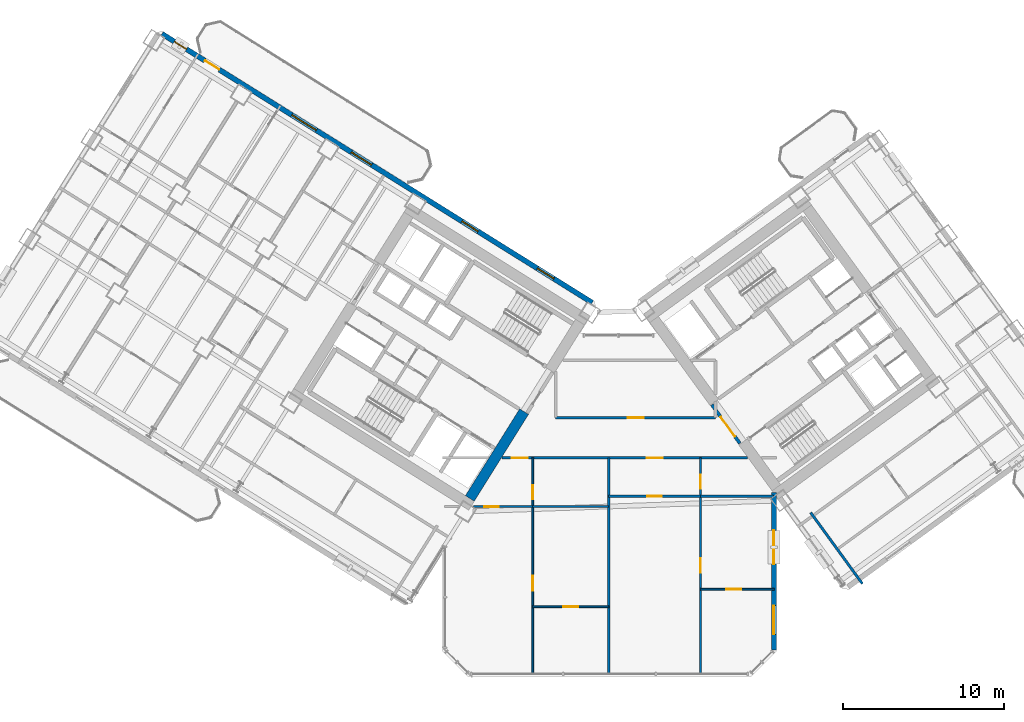
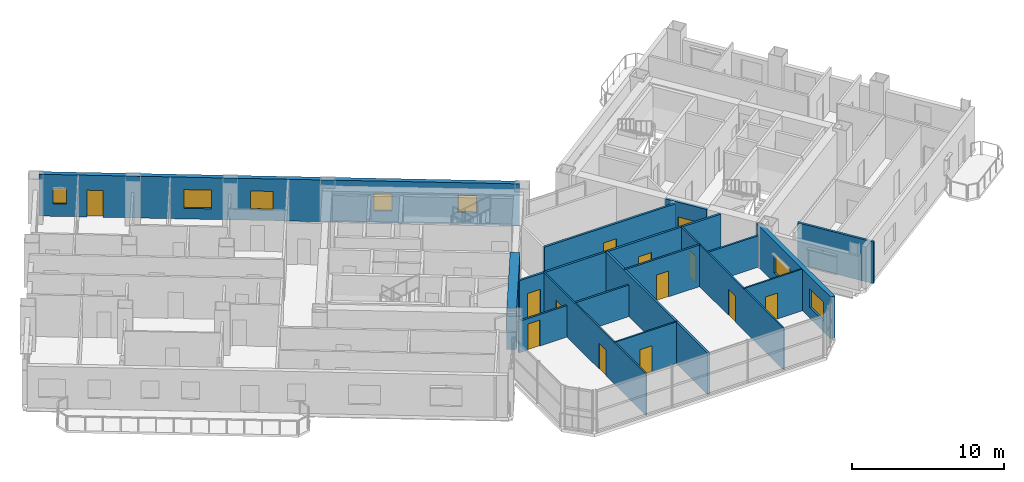
# One storey, part 17 of 25: 16 walls, 13 doors, 7 windows, 20 openings.
"""IFC4 building model written with IfcOpenShell, lengths in metres."""

from ifc_helpers import new_model, si_unit, direction, frame, frame_2d, origin, place, context, subcontext, project, spatial, rectangle, extrude, source, transform, mapped, material, layer, layer_set, type_object, element, fill, save


model = new_model("IFC4")

# Units and contexts
model_context = context("Model", 3, precision=1e-05, world=origin(), true_north=direction((0.0, 1.0)))
body_context = subcontext(model_context, "Body", "Model", "MODEL_VIEW")
ifc_project = project(units=[si_unit("LENGTHUNIT", "METRE"), si_unit("AREAUNIT", "SQUARE_METRE"), si_unit("VOLUMEUNIT", "CUBIC_METRE"), si_unit("PLANEANGLEUNIT", "RADIAN"), si_unit("MASSUNIT", "GRAM", prefix="KILO")], contexts=[model_context])

# Site, building, storey
site_placement = place(None, origin())
site = spatial("IfcSite", under=ifc_project, at=site_placement, CompositionType="ELEMENT")
building_placement = place(site_placement, origin())
building = spatial("IfcBuilding", under=site, at=building_placement, Name="Tlacorven Tower", CompositionType="ELEMENT")
storey_placement = place(building_placement, frame((0.0, 0.0, 52.800048828125)))
storey = spatial("IfcBuildingStorey", under=building, at=storey_placement, Name="L13", CompositionType="ELEMENT", Elevation=52.800048828125)

# Wall
ifc_material_1 = material(Name="Concrete C60/75", Category="concrete")
ifc_layer_1 = layer(ifc_material_1, 0.64990234375)
ifc_layer_set_1 = layer_set([ifc_layer_1], Name="Concrete C60/75")
wall_type_1 = type_object("IfcWallType", Name="WL-COR-650", PredefinedType="SHEAR", material=ifc_layer_set_1)
wall_1_placement = place(storey_placement, frame((36.683349609375, 18.30419921875, 0.0), z_axis=(0.0, 0.0, 1.0), x_axis=(-0.529899109053, -0.848060690178, 0.0)))
element("IfcWall", 1, at=wall_1_placement, inside=storey, type_object=wall_type_1, Name="L13 W core end wall E1.2", PredefinedType="SHEAR", context=body_context, shape_type="SweptSolid", body=[
    extrude(rectangle(XDim=6.375244140625, YDim=0.64990234375, at=frame_2d((3.1875, 0.0))), origin(), (0.0, 0.0, 1.0), 3.349853515625),
])

# Wall, openings, doors
ifc_material_2 = material(Name="Gypsum plasterboard acoustic partition", Category="gypsum")
ifc_layer_2 = layer(ifc_material_2, 0.159912109375)
ifc_layer_set_2 = layer_set([ifc_layer_2], Name="Gypsum plasterboard acoustic partition")
wall_type_2 = type_object("IfcWallType", Name="WL-DEM-160", PredefinedType="PARTITIONING", material=ifc_layer_set_2)
wall_2_placement = place(storey_placement, frame((35.29638671875, 15.419921875, 0.0), z_axis=(0.0, 0.0, 1.0), x_axis=(1.0, 0.0, 0.0)))
wall_2 = element("IfcWall", 2, at=wall_2_placement, inside=storey, type_object=wall_type_2, Name="L13 Knuckle Corridor South Wall", PredefinedType="PARTITIONING", context=body_context, shape_type="SweptSolid", body=[
    extrude(rectangle(XDim=15.310546875, YDim=0.159912109375, at=frame_2d((7.6552734375, 0.0))), origin(), (0.0, 0.0, 1.0), 3.33984375),
])
opening_1_placement = place(wall_2_placement, frame((0.61474609375, 0.0, 0.0)))
opening_1 = element("IfcOpeningElement", 3, at=opening_1_placement, cuts=wall_2, Name="Opening D11", PredefinedType="OPENING", context=body_context, shape_type="SweptSolid", body=[
    extrude(rectangle(XDim=1.0, YDim=2.10009765625, at=frame_2d((0.5, 1.050048828125))), frame((0.0, 0.08984375, 0.0), z_axis=(0.0, -1.0, 0.0), x_axis=(1.0, 0.0, 0.0)), (0.0, 0.0, 1.0), 0.179931640625),
])
opening_2_placement = place(wall_2_placement, frame((9.03515625, 0.0, 0.0)))
opening_2 = element("IfcOpeningElement", 4, at=opening_2_placement, cuts=wall_2, Name="Opening D11", PredefinedType="OPENING", context=body_context, shape_type="SweptSolid", body=[
    extrude(rectangle(XDim=1.0, YDim=2.10009765625, at=frame_2d((0.5, 1.050048828125))), frame((0.0, 0.08984375, 0.0), z_axis=(0.0, -1.0, 0.0), x_axis=(1.0, 0.0, 0.0)), (0.0, 0.0, 1.0), 0.179931640625),
])
ifc_material_3 = material(Name="Fire-rated steel door assembly", Category="steel")
door_type_1 = type_object("IfcDoorType", Name="DR-FLT-FD60-1000", OperationType="NOTDEFINED", PredefinedType="DOOR", material=ifc_material_3)
shared_shape_1 = source(origin(), body_context, "Body", "SweptSolid", [
    extrude(rectangle(XDim=1.0, YDim=2.10009765625, at=frame_2d((0.5, 1.050048828125))), frame((0.0, 0.02490234375, 0.0), z_axis=(0.0, -1.0, 0.0), x_axis=(1.0, 0.0, 0.0)), (0.0, 0.0, 1.0), 0.050048828125),
])
door_1_placement = place(opening_1_placement, frame((1.0, 0.0, 0.0), z_axis=(0.0, 0.0, 1.0), x_axis=(-1.0, 0.0, 0.0)))
door_1 = element("IfcDoor", 5, at=door_1_placement, inside=storey, type_object=door_type_1, Name="L13 door 052", OperationType="SINGLE_SWING_LEFT", OverallHeight=2.10009765625, OverallWidth=1.0, PredefinedType="DOOR", context=body_context, shape_type="MappedRepresentation", body=[
    mapped(shared_shape_1, transform((0.0, 0.0, 0.0), scale=1.0)),
])
fill(opening_1, door_1)
door_2_placement = place(opening_2_placement, frame((1.0, 0.0, 0.0), z_axis=(0.0, 0.0, 1.0), x_axis=(-1.0, 0.0, 0.0)))
door_2 = element("IfcDoor", 6, at=door_2_placement, inside=storey, type_object=door_type_1, Name="L13 door 057", OperationType="SINGLE_SWING_RIGHT", OverallHeight=2.10009765625, OverallWidth=1.0, PredefinedType="DOOR", context=body_context, shape_type="MappedRepresentation", body=[
    mapped(shared_shape_1, transform((0.0, 0.0, 0.0), scale=1.0)),
])
fill(opening_2, door_2)

# Wall, opening, door
wall_3_placement = place(storey_placement, frame((38.64990234375, 17.929931640625, 0.0), z_axis=(0.0, 0.0, 1.0), x_axis=(1.0, 0.0, 0.0)))
wall_3 = element("IfcWall", 7, at=wall_3_placement, inside=storey, type_object=wall_type_2, Name="L13 partition 81", PredefinedType="PARTITIONING", context=body_context, shape_type="SweptSolid", body=[
    extrude(rectangle(XDim=9.9501953125, YDim=0.159912109375, at=frame_2d((4.97509765625, 0.0))), origin(), (0.0, 0.0, 1.0), 3.33984375),
])
opening_3_placement = place(wall_3_placement, frame((4.47509765625, 0.0, 0.0)))
opening_3 = element("IfcOpeningElement", 8, at=opening_3_placement, cuts=wall_3, Name="Opening D11", PredefinedType="OPENING", context=body_context, shape_type="SweptSolid", body=[
    extrude(rectangle(XDim=1.0, YDim=2.10009765625, at=frame_2d((0.5, 1.050048828125))), frame((0.0, 0.08984375, 0.0), z_axis=(0.0, -1.0, 0.0), x_axis=(1.0, 0.0, 0.0)), (0.0, 0.0, 1.0), 0.179931640625),
])
door_3_placement = place(opening_3_placement, origin())
door_3 = element("IfcDoor", 9, at=door_3_placement, inside=storey, type_object=door_type_1, Name="L13 door 047", OperationType="SINGLE_SWING_RIGHT", OverallHeight=2.10009765625, OverallWidth=1.0, PredefinedType="DOOR", context=body_context, shape_type="MappedRepresentation", body=[
    mapped(shared_shape_1, transform((0.0, 0.0, 0.0), scale=1.0)),
])
fill(opening_3, door_3)

# Walls
wall_4_placement = place(storey_placement, frame((41.949951171875, 1.9599609375, 0.0), z_axis=(0.0, 0.0, 1.0), x_axis=(0.0, 1.0, 0.0)))
element("IfcWall", 10, at=wall_4_placement, inside=storey, type_object=wall_type_2, Name="L13 Knuckle Demising Wall 1", PredefinedType="PARTITIONING", context=body_context, shape_type="SweptSolid", body=[
    extrude(rectangle(XDim=13.4599609375, YDim=0.159912109375, at=frame_2d((6.72998046875, 0.0))), origin(), (0.0, 0.0, 1.0), 3.33984375),
])
wall_5_placement = place(storey_placement, frame((57.747314453125, 7.586181640625, 0.0), z_axis=(0.0, 0.0, 1.0), x_axis=(-0.587784893399, 0.809017255126, 0.0)))
element("IfcWall", 11, at=wall_5_placement, inside=storey, type_object=wall_type_2, Name="L13 EC West Throat Wall", PredefinedType="PARTITIONING", context=body_context, shape_type="SweptSolid", body=[
    extrude(rectangle(XDim=5.480224609375, YDim=0.159912109375, at=frame_2d((2.740234375, 0.0))), origin(), (0.0, 0.0, 1.0), 3.33984375),
])

# Wall, openings, door, windows
ifc_material_4 = material(Name="Precast concrete C45/55", Category="concrete")
ifc_layer_3 = layer(ifc_material_4, 0.320068359375)
ifc_layer_set_3 = layer_set([ifc_layer_3], Name="Precast concrete C45/55")
wall_type_3 = type_object("IfcWallType", Name="WL-EXT-320", PredefinedType="STANDARD", material=ifc_layer_set_3)
wall_6_placement = place(storey_placement, frame((14.13818359375, 41.825439453125, 0.0), z_axis=(0.0, 0.0, 1.0), x_axis=(0.848046498049, -0.529921821731, 0.0)))
wall_6 = element("IfcWall", 12, at=wall_6_placement, inside=storey, type_object=wall_type_3, Name="L13 Masonry-Frame Recessed Facade Wall 3", PredefinedType="STANDARD", context=body_context, shape_type="SweptSolid", body=[
    extrude(rectangle(XDim=31.587646484375, YDim=0.320068359375, at=frame_2d((15.7939453125, 0.0))), origin(), (0.0, 0.0, 1.0), 3.349853515625),
])
opening_4_placement = place(wall_6_placement, frame((3.15869140625, 0.0, 0.0)))
opening_4 = element("IfcOpeningElement", 13, at=opening_4_placement, cuts=wall_6, Name="Opening D06", PredefinedType="OPENING", context=body_context, shape_type="SweptSolid", body=[
    extrude(rectangle(XDim=1.050048828125, YDim=2.14990234375, at=frame_2d((0.52490234375, 1.074951171875))), frame((0.0, 0.169921875, 0.0), z_axis=(0.0, -1.0, 0.0), x_axis=(1.0, 0.0, 0.0)), (0.0, 0.0, 1.0), 0.340087890625),
])
opening_5_placement = place(wall_6_placement, frame((0.90625, 0.0, 1.0)))
opening_5 = element("IfcOpeningElement", 14, at=opening_5_placement, cuts=wall_6, Name="Opening WN05", PredefinedType="OPENING", context=body_context, shape_type="SweptSolid", body=[
    extrude(rectangle(XDim=0.89990234375, YDim=1.25, at=frame_2d((0.449951171875, 0.625))), frame((0.0, 0.169921875, 0.0), z_axis=(0.0, -1.0, 0.0), x_axis=(1.0, 0.0, 0.0)), (0.0, 0.0, 1.0), 0.340087890625),
])
opening_6_placement = place(wall_6_placement, frame((9.537109375, 0.0, 0.85009765625)))
opening_6 = element("IfcOpeningElement", 15, at=opening_6_placement, cuts=wall_6, Name="Opening WN01", PredefinedType="OPENING", context=body_context, shape_type="SweptSolid", body=[
    extrude(rectangle(XDim=1.800048828125, YDim=1.5, at=frame_2d((0.89990234375, 0.75))), frame((0.0, 0.169921875, 0.0), z_axis=(0.0, -1.0, 0.0), x_axis=(1.0, 0.0, 0.0)), (0.0, 0.0, 1.0), 0.340087890625),
])
opening_7_placement = place(wall_6_placement, frame((13.898681640625, 0.0, 0.85009765625)))
opening_7 = element("IfcOpeningElement", 16, at=opening_7_placement, cuts=wall_6, Name="Opening WN02", PredefinedType="OPENING", context=body_context, shape_type="SweptSolid", body=[
    extrude(rectangle(XDim=1.5, YDim=1.5, at=frame_2d((0.75, 0.75))), frame((0.0, 0.169921875, 0.0), z_axis=(0.0, -1.0, 0.0), x_axis=(1.0, 0.0, 0.0)), (0.0, 0.0, 1.0), 0.340087890625),
])
opening_8_placement = place(wall_6_placement, frame((22.018798828125, 0.0, 0.949951171875)))
opening_8 = element("IfcOpeningElement", 17, at=opening_8_placement, cuts=wall_6, Name="Opening WN03", PredefinedType="OPENING", context=body_context, shape_type="SweptSolid", body=[
    extrude(rectangle(XDim=1.199951171875, YDim=1.39990234375, at=frame_2d((0.60009765625, 0.699951171875))), frame((0.0, 0.169921875, 0.0), z_axis=(0.0, -1.0, 0.0), x_axis=(1.0, 0.0, 0.0)), (0.0, 0.0, 1.0), 0.340087890625),
])
opening_9_placement = place(wall_6_placement, frame((27.568603515625, 0.0, 0.949951171875)))
opening_9 = element("IfcOpeningElement", 18, at=opening_9_placement, cuts=wall_6, Name="Opening WN03", PredefinedType="OPENING", context=body_context, shape_type="SweptSolid", body=[
    extrude(rectangle(XDim=1.199951171875, YDim=1.39990234375, at=frame_2d((0.60009765625, 0.699951171875))), frame((0.0, 0.169921875, 0.0), z_axis=(0.0, -1.0, 0.0), x_axis=(1.0, 0.0, 0.0)), (0.0, 0.0, 1.0), 0.340087890625),
])
ifc_material_5 = material(Name="Powder-coated aluminium and timber door", Category="wood")
door_type_2 = type_object("IfcDoorType", Name="DR-EXT-BALC-1050", OperationType="NOTDEFINED", PredefinedType="DOOR", material=ifc_material_5)
shared_shape_2 = source(origin(), body_context, "Body", "SweptSolid", [
    extrude(rectangle(XDim=1.050048828125, YDim=2.14990234375, at=frame_2d((0.52490234375, 1.074951171875))), frame((0.0, 0.02490234375, 0.0), z_axis=(0.0, -1.0, 0.0), x_axis=(1.0, 0.0, 0.0)), (0.0, 0.0, 1.0), 0.050048828125),
])
door_4_placement = place(opening_4_placement, origin())
door_4 = element("IfcDoor", 19, at=door_4_placement, inside=storey, type_object=door_type_2, Name="L13 Outdoor Access Door BAL-L13-W-IN", OperationType="SINGLE_SWING_RIGHT", OverallHeight=2.14990234375, OverallWidth=1.050048828125, PredefinedType="DOOR", context=body_context, shape_type="MappedRepresentation", body=[
    mapped(shared_shape_2, transform((0.0, 0.0, 0.0), scale=1.0)),
])
fill(opening_4, door_4)
ifc_material_6 = material(Name="Dark solar low-E double glazing in anodised aluminium frame", Category="aluminium")
window_type_1 = type_object("IfcWindowType", Name="WN-APT-1200X1500", PartitioningType="SINGLE_PANEL", PredefinedType="WINDOW", material=ifc_material_6)
shared_shape_3 = source(origin(), body_context, "Body", "SweptSolid", [
    extrude(rectangle(XDim=1.199951171875, YDim=1.39990234375, at=frame_2d((0.60009765625, 0.699951171875))), frame((0.0, 0.030029296875, 0.0), z_axis=(0.0, -1.0, 0.0), x_axis=(1.0, 0.0, 0.0)), (0.0, 0.0, 1.0), 0.06005859375),
])
window_1_placement = place(opening_8_placement, origin())
window_1 = element("IfcWindow", 20, at=window_1_placement, inside=storey, type_object=window_type_1, Name="L13 Recessed Masonry-Frame Window L13-03.4", OverallHeight=1.39990234375, OverallWidth=1.199951171875, PartitioningType="SINGLE_PANEL", PredefinedType="WINDOW", context=body_context, shape_type="MappedRepresentation", body=[
    mapped(shared_shape_3, transform((0.0, 0.0, 0.0), scale=1.0)),
])
fill(opening_8, window_1)
window_2_placement = place(opening_9_placement, origin())
window_2 = element("IfcWindow", 21, at=window_2_placement, inside=storey, type_object=window_type_1, Name="L13 Recessed Masonry-Frame Window L13-03.5", OverallHeight=1.39990234375, OverallWidth=1.199951171875, PartitioningType="SINGLE_PANEL", PredefinedType="WINDOW", context=body_context, shape_type="MappedRepresentation", body=[
    mapped(shared_shape_3, transform((0.0, 0.0, 0.0), scale=1.0)),
])
fill(opening_9, window_2)
window_type_2 = type_object("IfcWindowType", Name="WN-APT-1800X1650", PartitioningType="SINGLE_PANEL", PredefinedType="WINDOW", material=ifc_material_6)
shared_shape_4 = source(origin(), body_context, "Body", "SweptSolid", [
    extrude(rectangle(XDim=1.800048828125, YDim=1.5, at=frame_2d((0.89990234375, 0.75))), frame((0.0, 0.030029296875, 0.0), z_axis=(0.0, -1.0, 0.0), x_axis=(1.0, 0.0, 0.0)), (0.0, 0.0, 1.0), 0.06005859375),
])
window_3_placement = place(opening_6_placement, origin())
window_3 = element("IfcWindow", 22, at=window_3_placement, inside=storey, type_object=window_type_2, Name="L13 Recessed Masonry-Frame Window L13-03.2", OverallHeight=1.5, OverallWidth=1.800048828125, PartitioningType="SINGLE_PANEL", PredefinedType="WINDOW", context=body_context, shape_type="MappedRepresentation", body=[
    mapped(shared_shape_4, transform((0.0, 0.0, 0.0), scale=1.0)),
])
fill(opening_6, window_3)
window_type_3 = type_object("IfcWindowType", Name="WN-APT-1500X1650", PartitioningType="SINGLE_PANEL", PredefinedType="WINDOW", material=ifc_material_6)
shared_shape_5 = source(origin(), body_context, "Body", "SweptSolid", [
    extrude(rectangle(XDim=1.5, YDim=1.5, at=frame_2d((0.75, 0.75))), frame((0.0, 0.030029296875, 0.0), z_axis=(0.0, -1.0, 0.0), x_axis=(1.0, 0.0, 0.0)), (0.0, 0.0, 1.0), 0.06005859375),
])
window_4_placement = place(opening_7_placement, origin())
window_4 = element("IfcWindow", 23, at=window_4_placement, inside=storey, type_object=window_type_3, Name="L13 Recessed Masonry-Frame Window L13-03.3", OverallHeight=1.5, OverallWidth=1.5, PartitioningType="SINGLE_PANEL", PredefinedType="WINDOW", context=body_context, shape_type="MappedRepresentation", body=[
    mapped(shared_shape_5, transform((0.0, 0.0, 0.0), scale=1.0)),
])
fill(opening_7, window_4)
window_type_4 = type_object("IfcWindowType", Name="WN-APT-0900X1350", PartitioningType="SINGLE_PANEL", PredefinedType="WINDOW", material=ifc_material_6)
shared_shape_6 = source(origin(), body_context, "Body", "SweptSolid", [
    extrude(rectangle(XDim=0.89990234375, YDim=1.25, at=frame_2d((0.449951171875, 0.625))), frame((0.0, 0.030029296875, 0.0), z_axis=(0.0, -1.0, 0.0), x_axis=(1.0, 0.0, 0.0)), (0.0, 0.0, 1.0), 0.06005859375),
])
window_5_placement = place(opening_5_placement, origin())
window_5 = element("IfcWindow", 24, at=window_5_placement, inside=storey, type_object=window_type_4, Name="L13 Recessed Masonry-Frame Window L13-03.1", OverallHeight=1.25, OverallWidth=0.89990234375, PartitioningType="SINGLE_PANEL", PredefinedType="WINDOW", context=body_context, shape_type="MappedRepresentation", body=[
    mapped(shared_shape_6, transform((0.0, 0.0, 0.0), scale=1.0)),
])
fill(opening_5, window_5)

# Wall, openings, windows
wall_7_placement = place(storey_placement, frame((52.239990234375, 13.260986328125, 0.0), z_axis=(0.0, 0.0, 1.0), x_axis=(0.0, -1.0, 0.0)))
wall_7 = element("IfcWall", 25, at=wall_7_placement, inside=storey, type_object=wall_type_3, Name="L13 Masonry-Frame Recessed Facade Wall 8", PredefinedType="STANDARD", context=body_context, shape_type="SweptSolid", body=[
    extrude(rectangle(XDim=9.794677734375, YDim=0.320068359375, at=frame_2d((4.8974609375, 0.0))), origin(), (0.0, 0.0, 1.0), 3.349853515625),
])
opening_10_placement = place(wall_7_placement, frame((2.349365234375, 0.0, 0.800048828125)))
opening_10 = element("IfcOpeningElement", 26, at=opening_10_placement, cuts=wall_7, Name="Opening WN04", PredefinedType="OPENING", context=body_context, shape_type="SweptSolid", body=[
    extrude(rectangle(XDim=2.10009765625, YDim=1.550048828125, at=frame_2d((1.050048828125, 0.77490234375))), frame((0.0, 0.169921875, 0.0), z_axis=(0.0, -1.0, 0.0), x_axis=(1.0, 0.0, 0.0)), (0.0, 0.0, 1.0), 0.340087890625),
])
opening_11_placement = place(wall_7_placement, frame((7.0302734375, 0.0, 0.85009765625)))
opening_11 = element("IfcOpeningElement", 27, at=opening_11_placement, cuts=wall_7, Name="Opening WN01", PredefinedType="OPENING", context=body_context, shape_type="SweptSolid", body=[
    extrude(rectangle(XDim=1.800048828125, YDim=1.5, at=frame_2d((0.89990234375, 0.75))), frame((0.0, 0.169921875, 0.0), z_axis=(0.0, -1.0, 0.0), x_axis=(1.0, 0.0, 0.0)), (0.0, 0.0, 1.0), 0.340087890625),
])
window_type_5 = type_object("IfcWindowType", Name="WN-APT-2100X1750", PartitioningType="SINGLE_PANEL", PredefinedType="WINDOW", material=ifc_material_6)
shared_shape_7 = source(origin(), body_context, "Body", "SweptSolid", [
    extrude(rectangle(XDim=2.10009765625, YDim=1.550048828125, at=frame_2d((1.050048828125, 0.77490234375))), frame((0.0, 0.030029296875, 0.0), z_axis=(0.0, -1.0, 0.0), x_axis=(1.0, 0.0, 0.0)), (0.0, 0.0, 1.0), 0.06005859375),
])
window_6_placement = place(opening_10_placement, origin())
window_6 = element("IfcWindow", 28, at=window_6_placement, inside=storey, type_object=window_type_5, Name="L13 Recessed Masonry-Frame Window L13-08.1", OverallHeight=1.550048828125, OverallWidth=2.10009765625, PartitioningType="SINGLE_PANEL", PredefinedType="WINDOW", context=body_context, shape_type="MappedRepresentation", body=[
    mapped(shared_shape_7, transform((0.0, 0.0, 0.0), scale=1.0)),
])
fill(opening_10, window_6)
window_7_placement = place(opening_11_placement, origin())
window_7 = element("IfcWindow", 29, at=window_7_placement, inside=storey, type_object=window_type_2, Name="L13 Recessed Masonry-Frame Window L13-08.2", OverallHeight=1.5, OverallWidth=1.800048828125, PartitioningType="SINGLE_PANEL", PredefinedType="WINDOW", context=body_context, shape_type="MappedRepresentation", body=[
    mapped(shared_shape_4, transform((0.0, 0.0, 0.0), scale=1.0)),
])
fill(opening_11, window_7)

# Wall, openings, doors
ifc_material_7 = material(Name="Gypsum plasterboard partition", Category="gypsum")
ifc_layer_4 = layer(ifc_material_7, 0.110107421875)
ifc_layer_set_4 = layer_set([ifc_layer_4], Name="Gypsum plasterboard partition")
wall_type_4 = type_object("IfcWallType", Name="WL-INT-110", PredefinedType="PARTITIONING", material=ifc_layer_set_4)
wall_8_placement = place(storey_placement, frame((37.221923828125, 1.9599609375, 0.0), z_axis=(0.0, 0.0, 1.0), x_axis=(0.0, 1.0, 0.0)))
wall_8 = element("IfcWall", 30, at=wall_8_placement, inside=storey, type_object=wall_type_4, Name="L13 partition 87", PredefinedType="PARTITIONING", context=body_context, shape_type="SweptSolid", body=[
    extrude(rectangle(XDim=13.4599609375, YDim=0.110107421875, at=frame_2d((6.72998046875, 0.0))), origin(), (0.0, 0.0, 1.0), 3.33984375),
])
opening_12_placement = place(wall_8_placement, frame((5.199951171875, 0.0, 0.0)))
opening_12 = element("IfcOpeningElement", 31, at=opening_12_placement, cuts=wall_8, Name="Opening D12", PredefinedType="OPENING", context=body_context, shape_type="SweptSolid", body=[
    extrude(rectangle(XDim=0.919921875, YDim=2.080078125, at=frame_2d((0.4599609375, 1.0400390625))), frame((0.0, 0.06494140625, 0.0), z_axis=(0.0, -1.0, 0.0), x_axis=(1.0, 0.0, 0.0)), (0.0, 0.0, 1.0), 0.130126953125),
])
opening_13_placement = place(wall_8_placement, frame((10.889892578125, 0.0, 0.0)))
opening_13 = element("IfcOpeningElement", 32, at=opening_13_placement, cuts=wall_8, Name="Opening D13", PredefinedType="OPENING", context=body_context, shape_type="SweptSolid", body=[
    extrude(rectangle(XDim=0.8798828125, YDim=2.080078125, at=frame_2d((0.43994140625, 1.0400390625))), frame((0.0, 0.06494140625, 0.0), z_axis=(0.0, -1.0, 0.0), x_axis=(1.0, 0.0, 0.0)), (0.0, 0.0, 1.0), 0.130126953125),
])
door_type_3 = type_object("IfcDoorType", Name="DR-INT-WET-0880", OperationType="NOTDEFINED", PredefinedType="DOOR", material=ifc_material_5)
shared_shape_8 = source(origin(), body_context, "Body", "SweptSolid", [
    extrude(rectangle(XDim=0.8798828125, YDim=2.080078125, at=frame_2d((0.43994140625, 1.0400390625))), frame((0.0, 0.02490234375, 0.0), z_axis=(0.0, -1.0, 0.0), x_axis=(1.0, 0.0, 0.0)), (0.0, 0.0, 1.0), 0.050048828125),
])
door_5_placement = place(opening_13_placement, origin())
door_5 = element("IfcDoor", 33, at=door_5_placement, inside=storey, type_object=door_type_3, Name="L13 door 054", OperationType="SINGLE_SWING_LEFT", OverallHeight=2.080078125, OverallWidth=0.8798828125, PredefinedType="DOOR", context=body_context, shape_type="MappedRepresentation", body=[
    mapped(shared_shape_8, transform((0.0, 0.0, 0.0), scale=1.0)),
])
fill(opening_13, door_5)
door_type_4 = type_object("IfcDoorType", Name="DR-INT-ROOM-0920", OperationType="NOTDEFINED", PredefinedType="DOOR", material=ifc_material_5)
shared_shape_9 = source(origin(), body_context, "Body", "SweptSolid", [
    extrude(rectangle(XDim=0.919921875, YDim=2.080078125, at=frame_2d((0.4599609375, 1.0400390625))), frame((0.0, 0.02490234375, 0.0), z_axis=(0.0, -1.0, 0.0), x_axis=(1.0, 0.0, 0.0)), (0.0, 0.0, 1.0), 0.050048828125),
])
door_6_placement = place(opening_12_placement, origin())
door_6 = element("IfcDoor", 34, at=door_6_placement, inside=storey, type_object=door_type_4, Name="L13 door 050", OperationType="SINGLE_SWING_LEFT", OverallHeight=2.080078125, OverallWidth=0.919921875, PredefinedType="DOOR", context=body_context, shape_type="MappedRepresentation", body=[
    mapped(shared_shape_9, transform((0.0, 0.0, 0.0), scale=1.0)),
])
fill(opening_12, door_6)

# Wall, opening, door
wall_9_placement = place(storey_placement, frame((37.221923828125, 6.14990234375, 0.0), z_axis=(0.0, 0.0, 1.0), x_axis=(1.0, 0.0, 0.0)))
wall_9 = element("IfcWall", 35, at=wall_9_placement, inside=storey, type_object=wall_type_4, Name="L13 partition 90", PredefinedType="PARTITIONING", context=body_context, shape_type="SweptSolid", body=[
    extrude(rectangle(XDim=4.72802734375, YDim=0.110107421875, at=frame_2d((2.364013671875, 0.0))), origin(), (0.0, 0.0, 1.0), 3.33984375),
])
opening_14_placement = place(wall_9_placement, frame((1.904052734375, 0.0, 0.0)))
opening_14 = element("IfcOpeningElement", 36, at=opening_14_placement, cuts=wall_9, Name="Opening D12", PredefinedType="OPENING", context=body_context, shape_type="SweptSolid", body=[
    extrude(rectangle(XDim=0.919921875, YDim=2.080078125, at=frame_2d((0.4599609375, 1.0400390625))), frame((0.0, 0.06494140625, 0.0), z_axis=(0.0, -1.0, 0.0), x_axis=(1.0, 0.0, 0.0)), (0.0, 0.0, 1.0), 0.130126953125),
])
door_7_placement = place(opening_14_placement, origin())
door_7 = element("IfcDoor", 37, at=door_7_placement, inside=storey, type_object=door_type_4, Name="L13 door 051", OperationType="SINGLE_SWING_RIGHT", OverallHeight=2.080078125, OverallWidth=0.919921875, PredefinedType="DOOR", context=body_context, shape_type="MappedRepresentation", body=[
    mapped(shared_shape_9, transform((0.0, 0.0, 0.0), scale=1.0)),
])
fill(opening_14, door_7)

# Wall, openings, doors
wall_10_placement = place(storey_placement, frame((47.6630859375, 1.9599609375, 0.0), z_axis=(0.0, 0.0, 1.0), x_axis=(0.0, 1.0, 0.0)))
wall_10 = element("IfcWall", 38, at=wall_10_placement, inside=storey, type_object=wall_type_4, Name="L13 partition 91", PredefinedType="PARTITIONING", context=body_context, shape_type="SweptSolid", body=[
    extrude(rectangle(XDim=13.4599609375, YDim=0.110107421875, at=frame_2d((6.72998046875, 0.0))), origin(), (0.0, 0.0, 1.0), 3.33984375),
])
opening_15_placement = place(wall_10_placement, frame((6.300048828125, 0.0, 0.0)))
opening_15 = element("IfcOpeningElement", 39, at=opening_15_placement, cuts=wall_10, Name="Opening D12", PredefinedType="OPENING", context=body_context, shape_type="SweptSolid", body=[
    extrude(rectangle(XDim=0.919921875, YDim=2.080078125, at=frame_2d((0.4599609375, 1.0400390625))), frame((0.0, 0.06494140625, 0.0), z_axis=(0.0, -1.0, 0.0), x_axis=(1.0, 0.0, 0.0)), (0.0, 0.0, 1.0), 0.130126953125),
])
opening_16_placement = place(wall_10_placement, frame((11.5400390625, 0.0, 0.0)))
opening_16 = element("IfcOpeningElement", 40, at=opening_16_placement, cuts=wall_10, Name="Opening D13", PredefinedType="OPENING", context=body_context, shape_type="SweptSolid", body=[
    extrude(rectangle(XDim=0.8798828125, YDim=2.080078125, at=frame_2d((0.43994140625, 1.0400390625))), frame((0.0, 0.06494140625, 0.0), z_axis=(0.0, -1.0, 0.0), x_axis=(1.0, 0.0, 0.0)), (0.0, 0.0, 1.0), 0.130126953125),
])
door_8_placement = place(opening_16_placement, origin())
door_8 = element("IfcDoor", 41, at=door_8_placement, inside=storey, type_object=door_type_3, Name="L13 door 059", OperationType="SINGLE_SWING_RIGHT", OverallHeight=2.080078125, OverallWidth=0.8798828125, PredefinedType="DOOR", context=body_context, shape_type="MappedRepresentation", body=[
    mapped(shared_shape_8, transform((0.0, 0.0, 0.0), scale=1.0)),
])
fill(opening_16, door_8)
door_9_placement = place(opening_15_placement, origin())
door_9 = element("IfcDoor", 42, at=door_9_placement, inside=storey, type_object=door_type_4, Name="L13 door 055", OperationType="SINGLE_SWING_RIGHT", OverallHeight=2.080078125, OverallWidth=0.919921875, PredefinedType="DOOR", context=body_context, shape_type="MappedRepresentation", body=[
    mapped(shared_shape_9, transform((0.0, 0.0, 0.0), scale=1.0)),
])
fill(opening_15, door_9)

# Wall, opening, door
wall_11_placement = place(storey_placement, frame((47.6630859375, 7.25, 0.0), z_axis=(0.0, 0.0, 1.0), x_axis=(1.0, 0.0, 0.0)))
wall_11 = element("IfcWall", 43, at=wall_11_placement, inside=storey, type_object=wall_type_4, Name="L13 partition 94", PredefinedType="PARTITIONING", context=body_context, shape_type="SweptSolid", body=[
    extrude(rectangle(XDim=4.596923828125, YDim=0.110107421875, at=frame_2d((2.29833984375, 0.0))), origin(), (0.0, 0.0, 1.0), 3.33984375),
])
opening_17_placement = place(wall_11_placement, frame((1.6083984375, 0.0, 0.0)))
opening_17 = element("IfcOpeningElement", 44, at=opening_17_placement, cuts=wall_11, Name="Opening D12", PredefinedType="OPENING", context=body_context, shape_type="SweptSolid", body=[
    extrude(rectangle(XDim=0.919921875, YDim=2.080078125, at=frame_2d((0.4599609375, 1.0400390625))), frame((0.0, 0.06494140625, 0.0), z_axis=(0.0, -1.0, 0.0), x_axis=(1.0, 0.0, 0.0)), (0.0, 0.0, 1.0), 0.130126953125),
])
door_10_placement = place(opening_17_placement, origin())
door_10 = element("IfcDoor", 45, at=door_10_placement, inside=storey, type_object=door_type_4, Name="L13 door 056", OperationType="SINGLE_SWING_LEFT", OverallHeight=2.080078125, OverallWidth=0.919921875, PredefinedType="DOOR", context=body_context, shape_type="MappedRepresentation", body=[
    mapped(shared_shape_9, transform((0.0, 0.0, 0.0), scale=1.0)),
])
fill(opening_17, door_10)

ifc_material_8 = material(Name="Moisture-resistant gypsum plumbing wall", Category="gypsum")
ifc_layer_5 = layer(ifc_material_8, 0.139892578125)
ifc_layer_set_5 = layer_set([ifc_layer_5], Name="Moisture-resistant gypsum plumbing wall")
wall_type_5 = type_object("IfcWallType", Name="WL-PLM-140", PredefinedType="PLUMBINGWALL", material=ifc_layer_set_5)
wall_12_placement = place(storey_placement, frame((33.52734375, 12.389892578125, 0.0), z_axis=(0.0, 0.0, 1.0), x_axis=(1.0, 0.0, 0.0)))
wall_12 = element("IfcWall", 46, at=wall_12_placement, inside=storey, type_object=wall_type_5, Name="L13 partition 88", PredefinedType="PLUMBINGWALL", context=body_context, shape_type="SweptSolid", body=[
    extrude(rectangle(XDim=3.694580078125, YDim=0.139892578125, at=frame_2d((1.84716796875, 0.0))), origin(), (0.0, 0.0, 1.0), 2.52490234375),
])
opening_18_placement = place(wall_12_placement, frame((0.673828125, 0.0, 0.0)))
opening_18 = element("IfcOpeningElement", 47, at=opening_18_placement, cuts=wall_12, Name="Opening D12", PredefinedType="OPENING", context=body_context, shape_type="SweptSolid", body=[
    extrude(rectangle(XDim=0.919921875, YDim=2.080078125, at=frame_2d((0.4599609375, 1.0400390625))), frame((0.0, 0.080078125, 0.0), z_axis=(0.0, -1.0, 0.0), x_axis=(1.0, 0.0, 0.0)), (0.0, 0.0, 1.0), 0.159912109375),
])
door_11_placement = place(opening_18_placement, frame((0.919921875, 0.0, 0.0), z_axis=(0.0, 0.0, 1.0), x_axis=(-1.0, 0.0, 0.0)))
door_11 = element("IfcDoor", 48, at=door_11_placement, inside=storey, type_object=door_type_4, Name="L13 door 053", OperationType="SINGLE_SWING_RIGHT", OverallHeight=2.080078125, OverallWidth=0.919921875, PredefinedType="DOOR", context=body_context, shape_type="MappedRepresentation", body=[
    mapped(shared_shape_9, transform((0.0, 0.0, 0.0), scale=1.0)),
])
fill(opening_18, door_11)

# Wall
wall_13_placement = place(storey_placement, frame((37.221923828125, 12.389892578125, 0.0), z_axis=(0.0, 0.0, 1.0), x_axis=(1.0, 0.0, 0.0)))
element("IfcWall", 49, at=wall_13_placement, inside=storey, type_object=wall_type_5, Name="L13 partition 89", PredefinedType="PLUMBINGWALL", context=body_context, shape_type="SweptSolid", body=[
    extrude(rectangle(XDim=4.72802734375, YDim=0.139892578125, at=frame_2d((2.364013671875, 0.0))), origin(), (0.0, 0.0, 1.0), 2.52490234375),
])

# Wall, opening, door
wall_14_placement = place(storey_placement, frame((41.949951171875, 13.0400390625, 0.0), z_axis=(0.0, 0.0, 1.0), x_axis=(1.0, 0.0, 0.0)))
wall_14 = element("IfcWall", 50, at=wall_14_placement, inside=storey, type_object=wall_type_5, Name="L13 partition 92", PredefinedType="PLUMBINGWALL", context=body_context, shape_type="SweptSolid", body=[
    extrude(rectangle(XDim=5.713134765625, YDim=0.139892578125, at=frame_2d((2.8564453125, 0.0))), origin(), (0.0, 0.0, 1.0), 3.33984375),
])
opening_19_placement = place(wall_14_placement, frame((2.396484375, 0.0, 0.0)))
opening_19 = element("IfcOpeningElement", 51, at=opening_19_placement, cuts=wall_14, Name="Opening D12", PredefinedType="OPENING", context=body_context, shape_type="SweptSolid", body=[
    extrude(rectangle(XDim=0.919921875, YDim=2.080078125, at=frame_2d((0.4599609375, 1.0400390625))), frame((0.0, 0.080078125, 0.0), z_axis=(0.0, -1.0, 0.0), x_axis=(1.0, 0.0, 0.0)), (0.0, 0.0, 1.0), 0.159912109375),
])
door_12_placement = place(opening_19_placement, frame((0.919921875, 0.0, 0.0), z_axis=(0.0, 0.0, 1.0), x_axis=(-1.0, 0.0, 0.0)))
door_12 = element("IfcDoor", 52, at=door_12_placement, inside=storey, type_object=door_type_4, Name="L13 door 058", OperationType="SINGLE_SWING_LEFT", OverallHeight=2.080078125, OverallWidth=0.919921875, PredefinedType="DOOR", context=body_context, shape_type="MappedRepresentation", body=[
    mapped(shared_shape_9, transform((0.0, 0.0, 0.0), scale=1.0)),
])
fill(opening_19, door_12)

# Wall
wall_15_placement = place(storey_placement, frame((47.6630859375, 13.0400390625, 0.0), z_axis=(0.0, 0.0, 1.0), x_axis=(1.0, 0.0, 0.0)))
element("IfcWall", 53, at=wall_15_placement, inside=storey, type_object=wall_type_5, Name="L13 partition 93", PredefinedType="PLUMBINGWALL", context=body_context, shape_type="SweptSolid", body=[
    extrude(rectangle(XDim=4.5380859375, YDim=0.139892578125, at=frame_2d((2.26904296875, 0.0))), origin(), (0.0, 0.0, 1.0), 2.52490234375),
])

# Wall, opening, door
ifc_material_9 = material(Name="Concrete C40/50", Category="concrete")
ifc_layer_6 = layer(ifc_material_9, 0.199951171875)
ifc_layer_set_6 = layer_set([ifc_layer_6], Name="Concrete C40/50")
wall_type_6 = type_object("IfcWallType", Name="WL-SHF-200", PredefinedType="STANDARD", material=ifc_layer_set_6)
wall_16_placement = place(storey_placement, frame((50.119140625, 16.3330078125, 0.0), z_axis=(0.0, 0.0, 1.0), x_axis=(-0.587749856981, 0.809042709391, 0.0)))
wall_16 = element("IfcWall", 54, at=wall_16_placement, inside=storey, type_object=wall_type_6, Name="L13 partition 85", PredefinedType="STANDARD", context=body_context, shape_type="SweptSolid", body=[
    extrude(rectangle(XDim=2.9599609375, YDim=0.199951171875, at=frame_2d((1.47998046875, 0.0))), origin(), (0.0, 0.0, 1.0), 3.33984375),
])
opening_20_placement = place(wall_16_placement, frame((0.530029296875, 0.0, 0.0)))
opening_20 = element("IfcOpeningElement", 55, at=opening_20_placement, cuts=wall_16, Name="Opening D10", PredefinedType="OPENING", context=body_context, shape_type="SweptSolid", body=[
    extrude(rectangle(XDim=1.5, YDim=2.14990234375, at=frame_2d((0.75, 1.074951171875))), frame((0.0, 0.10986328125, 0.0), z_axis=(0.0, -1.0, 0.0), x_axis=(1.0, 0.0, 0.0)), (0.0, 0.0, 1.0), 0.219970703125),
])
door_type_5 = type_object("IfcDoorType", Name="DR-LOB-FD60-1500", OperationType="DOUBLE_DOOR_SINGLE_SWING", PredefinedType="DOOR", material=ifc_material_3)
shared_shape_10 = source(origin(), body_context, "Body", "SweptSolid", [
    extrude(rectangle(XDim=1.5, YDim=2.14990234375, at=frame_2d((0.75, 1.074951171875))), frame((0.0, 0.02490234375, 0.0), z_axis=(0.0, -1.0, 0.0), x_axis=(1.0, 0.0, 0.0)), (0.0, 0.0, 1.0), 0.050048828125),
])
door_13_placement = place(opening_20_placement, frame((1.5, 0.0, 0.0), z_axis=(0.0, 0.0, 1.0), x_axis=(-1.0, 0.0, 0.0)))
door_13 = element("IfcDoor", 56, at=door_13_placement, inside=storey, type_object=door_type_5, Name="L13 door 049", OperationType="DOUBLE_DOOR_SINGLE_SWING", OverallHeight=2.14990234375, OverallWidth=1.5, PredefinedType="DOOR", context=body_context, shape_type="MappedRepresentation", body=[
    mapped(shared_shape_10, transform((0.0, 0.0, 0.0), scale=1.0)),
])
fill(opening_20, door_13)

save(model, "model.ifc")
